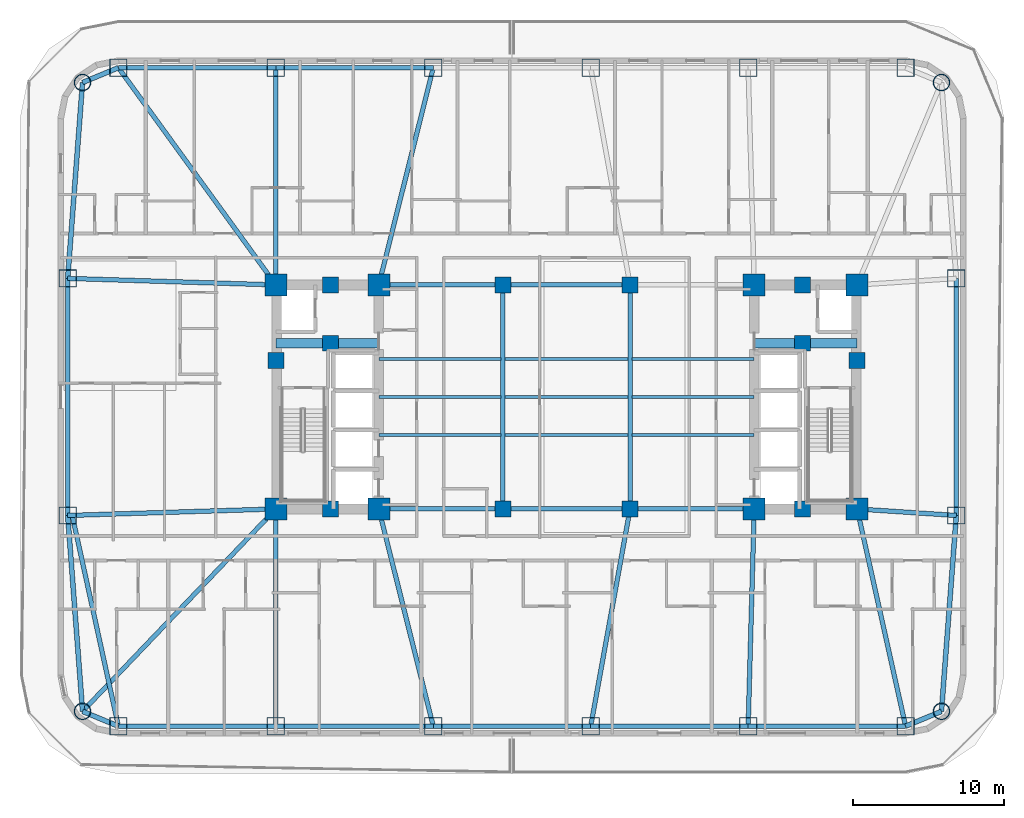
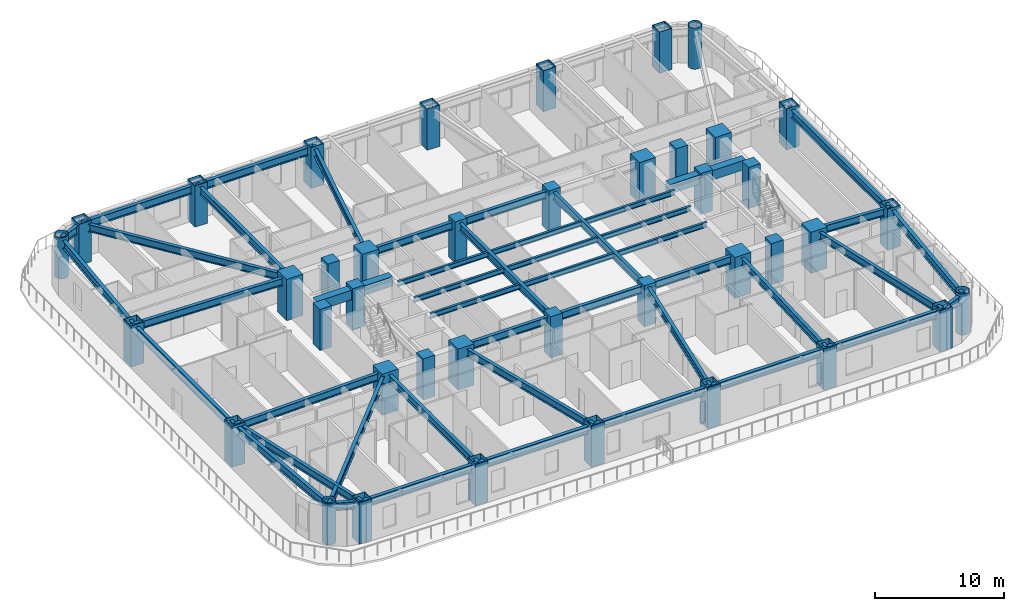
# One storey, part 1 of 14: 46 beams, 40 columns.
"""IFC4 building model written with IfcOpenShell, lengths in metres."""

from ifc_helpers import new_model, si_unit, direction, frame, origin, origin_2d, place, context, subcontext, project, spatial, rectangle, hollow_rectangle, hollow_circle, i_section, extrude, material, material_profile, profile_set, type_object, element, save


model = new_model("IFC4")

# Units and contexts
model_context = context("Model", 3, precision=1e-05, world=origin(), true_north=direction((0.0, 1.0)))
body_context = subcontext(model_context, "Body", "Model", "MODEL_VIEW")
ifc_project = project(units=[si_unit("LENGTHUNIT", "METRE"), si_unit("AREAUNIT", "SQUARE_METRE"), si_unit("VOLUMEUNIT", "CUBIC_METRE"), si_unit("PLANEANGLEUNIT", "RADIAN"), si_unit("MASSUNIT", "GRAM", prefix="KILO")], contexts=[model_context])

# Site, building, storey
site_placement = place(None, origin())
site = spatial("IfcSite", under=ifc_project, at=site_placement, CompositionType="ELEMENT")
building_placement = place(site_placement, origin())
building = spatial("IfcBuilding", under=site, at=building_placement, Name="Voryun Gate Residences", CompositionType="ELEMENT")
storey_placement = place(building_placement, frame((0.0, 0.0, 53.300048828125)))
storey = spatial("IfcBuildingStorey", under=building, at=storey_placement, Name="L12", CompositionType="ELEMENT", Elevation=53.300048828125)

# Columns
ifc_material_1 = material(Name="Concrete C50/60", Category="concrete")
ifc_material_profile_1 = material_profile(ifc_material_1, rectangle(XDim=1.050048828125, YDim=1.050048828125, at=origin_2d()), Name="RC-1050x1050")
ifc_profile_set_1 = profile_set([ifc_material_profile_1], Name="Concrete C50/60")
column_type_1 = type_object("IfcColumnType", Name="COL_CORE_1050", PredefinedType="COLUMN", material=ifc_profile_set_1)
for number, where, z_axis, x_axis, name in (
    (1, (-19.199951171875, 2.39990234375, 0.0), (0.0, 0.0, 1.0), (1.0, 0.0, 0.0), "L12 Core boundary column WC-MW"),
    (2, (-15.60009765625, -7.39990234375, 0.0), (0.0, 0.0, 1.0), (1.0, 0.0, 0.0), "L12 Core boundary column WC-SM"),
    (3, (-15.60009765625, 7.39990234375, 0.0), (0.0, 0.0, 1.0), (1.0, 0.0, 0.0), "L12 Core boundary column WC-NM"),
    (4, (-15.60009765625, 3.550048828125, 0.0), (0.0, 0.0, 1.0), (1.0, 0.0, 0.0), "L12 Core boundary column WC-MM"),
    (5, (15.60009765625, 3.550048828125, 0.0), (0.0, 0.0, 1.0), (1.0, 0.0, 0.0), "L12 Core boundary column EC-MM"),
    (6, (15.60009765625, -7.39990234375, 0.0), (0.0, 0.0, 1.0), (1.0, 0.0, 0.0), "L12 Core boundary column EC-SM"),
    (7, (15.60009765625, 7.39990234375, 0.0), (0.0, 0.0, 1.0), (1.0, 0.0, 0.0), "L12 Core boundary column EC-NM"),
    (8, (19.199951171875, 2.39990234375, 0.0), (0.0, 0.0, 1.0), (1.0, 0.0, 0.0), "L12 Core boundary column EC-ME"),
    (9, (-4.199951171875, -7.39990234375, 0.0), (0.0, 0.0, 1.0), (1.0, 0.0, 0.0), "L12 Interior spine column SP-WS"),
    (10, (-4.199951171875, 7.39990234375, 0.0), (0.0, 0.0, 1.0), (1.0, 0.0, 0.0), "L12 Interior spine column SP-WN"),
    (11, (4.199951171875, -7.39990234375, 0.0), (0.0, 0.0, 1.0), (1.0, 0.0, 0.0), "L12 Interior spine column SP-ES"),
    (12, (4.199951171875, 7.39990234375, 0.0), (0.0, 0.0, 1.0), (1.0, 0.0, 0.0), "L12 Interior spine column SP-EN"),
):
    element("IfcColumn", number, at=place(storey_placement, frame(where, z_axis=z_axis, x_axis=x_axis)), inside=storey, type_object=column_type_1, Name=name, PredefinedType="COLUMN", context=body_context, shape_type="SweptSolid", body=[
        extrude(rectangle(XDim=1.050048828125, YDim=1.050048828125, at=origin_2d()), origin(), (0.0, 0.0, 1.0), 3.89990234375),
    ])
ifc_material_2 = material(Name="Steel SM420", Category="steel")
ifc_material_profile_2 = material_profile(ifc_material_2, hollow_circle(Radius=0.550048828125, WallThickness=0.035888671875, at=origin_2d()), Name="CHS-1100x36")
ifc_profile_set_2 = profile_set([ifc_material_profile_2], Name="Steel SM420")
column_type_2 = type_object("IfcColumnType", Name="COL_CRN_1100", PredefinedType="COLUMN", material=ifc_profile_set_2)
for number, where, z_axis, x_axis, name in (
    (13, (24.768798828125, -20.768798828125, 0.0), (0.0, 0.0, 1.0), (1.0, 0.0, 0.0), "L12 Exoskeleton column CSE"),
    (14, (24.768798828125, 20.768798828125, 0.0), (0.0, 0.0, 1.0), (1.0, 0.0, 0.0), "L12 Exoskeleton column CNE"),
    (15, (-31.96875, 20.768798828125, 0.0), (0.0, 0.0, 1.0), (1.0, 0.0, 0.0), "L12 Exoskeleton column CNW"),
    (16, (-31.96875, -20.768798828125, 0.0), (0.0, 0.0, 1.0), (1.0, 0.0, 0.0), "L12 Exoskeleton column CSW"),
):
    element("IfcColumn", number, at=place(storey_placement, frame(where, z_axis=z_axis, x_axis=x_axis)), inside=storey, type_object=column_type_2, Name=name, PredefinedType="COLUMN", context=body_context, shape_type="SweptSolid", body=[
        extrude(hollow_circle(Radius=0.550048828125, WallThickness=0.035888671875, at=origin_2d()), origin(), (0.0, 0.0, 1.0), 3.89990234375),
    ])
ifc_material_3 = material(Name="Steel SM420", Category="steel")
ifc_material_profile_3 = material_profile(ifc_material_3, hollow_rectangle(XDim=1.14990234375, YDim=1.14990234375, WallThickness=0.0400390625, at=origin_2d()), Name="BOX-1150x1150x40")
ifc_profile_set_3 = profile_set([ifc_material_profile_3], Name="Steel SM420")
column_type_3 = type_object("IfcColumnType", Name="COL_EXO_B1", PredefinedType="COLUMN", material=ifc_profile_set_3)
for number, where, z_axis, x_axis, name in (
    (17, (-29.60009765625, -21.75, 0.0), (0.0, 0.0, 1.0), (1.0, 0.0, 0.0), "L12 Exoskeleton column S1"),
    (18, (-19.199951171875, -21.75, 0.0), (0.0, 0.0, 1.0), (1.0, 0.0, 0.0), "L12 Exoskeleton column S2"),
    (19, (-8.800048828125, -21.75, 0.0), (0.0, 0.0, 1.0), (1.0, 0.0, 0.0), "L12 Exoskeleton column S3"),
    (20, (1.60009765625, -21.75, 0.0), (0.0, 0.0, 1.0), (1.0, 0.0, 0.0), "L12 Exoskeleton column S4"),
    (21, (12.0, -21.75, 0.0), (0.0, 0.0, 1.0), (1.0, 0.0, 0.0), "L12 Exoskeleton column S5"),
    (22, (22.39990234375, -21.75, 0.0), (0.0, 0.0, 1.0), (1.0, 0.0, 0.0), "L12 Exoskeleton column S6"),
    (23, (25.75, -7.830078125, 0.0), (0.0, 0.0, 1.0), (1.0, 0.0, 0.0), "L12 Exoskeleton column E1"),
    (24, (25.75, 7.830078125, 0.0), (0.0, 0.0, 1.0), (1.0, 0.0, 0.0), "L12 Exoskeleton column E2"),
    (25, (22.39990234375, 21.75, 0.0), (0.0, 0.0, 1.0), (1.0, 0.0, 0.0), "L12 Exoskeleton column N1"),
    (26, (12.0, 21.75, 0.0), (0.0, 0.0, 1.0), (1.0, 0.0, 0.0), "L12 Exoskeleton column N2"),
    (27, (1.60009765625, 21.75, 0.0), (0.0, 0.0, 1.0), (1.0, 0.0, 0.0), "L12 Exoskeleton column N3"),
    (28, (-8.800048828125, 21.75, 0.0), (0.0, 0.0, 1.0), (1.0, 0.0, 0.0), "L12 Exoskeleton column N4"),
    (29, (-19.199951171875, 21.75, 0.0), (0.0, 0.0, 1.0), (1.0, 0.0, 0.0), "L12 Exoskeleton column N5"),
    (30, (-29.60009765625, 21.75, 0.0), (0.0, 0.0, 1.0), (1.0, 0.0, 0.0), "L12 Exoskeleton column N6"),
    (31, (-32.949951171875, 7.830078125, 0.0), (0.0, 0.0, 1.0), (1.0, 0.0, 0.0), "L12 Exoskeleton column W1"),
    (32, (-32.949951171875, -7.830078125, 0.0), (0.0, 0.0, 1.0), (1.0, 0.0, 0.0), "L12 Exoskeleton column W2"),
):
    element("IfcColumn", number, at=place(storey_placement, frame(where, z_axis=z_axis, x_axis=x_axis)), inside=storey, type_object=column_type_3, Name=name, PredefinedType="COLUMN", context=body_context, shape_type="SweptSolid", body=[
        extrude(hollow_rectangle(XDim=1.14990234375, YDim=1.14990234375, WallThickness=0.0400390625, at=origin_2d()), origin(), (0.0, 0.0, 1.0), 3.89990234375),
    ])
ifc_material_4 = material(Name="Concrete C60/75", Category="concrete")
ifc_material_profile_4 = material_profile(ifc_material_4, rectangle(XDim=1.449951171875, YDim=1.449951171875, at=origin_2d()), Name="RC-1450x1450")
ifc_profile_set_4 = profile_set([ifc_material_profile_4], Name="Concrete C60/75")
column_type_4 = type_object("IfcColumnType", Name="COL_MEGA_1450", PredefinedType="COLUMN", material=ifc_profile_set_4)
for number, where, z_axis, x_axis, name in (
    (33, (-19.199951171875, -7.39990234375, 0.0), (0.0, 0.0, 1.0), (1.0, 0.0, 0.0), "L12 Core boundary column WC-SW"),
    (34, (-19.199951171875, 7.39990234375, 0.0), (0.0, 0.0, 1.0), (1.0, 0.0, 0.0), "L12 Core boundary column WC-NW"),
    (35, (-12.39990234375, -7.39990234375, 0.0), (0.0, 0.0, 1.0), (1.0, 0.0, 0.0), "L12 Core boundary column WC-SE"),
    (36, (-12.39990234375, 7.39990234375, 0.0), (0.0, 0.0, 1.0), (1.0, 0.0, 0.0), "L12 Core boundary column WC-NE"),
    (37, (12.39990234375, -7.39990234375, 0.0), (0.0, 0.0, 1.0), (1.0, 0.0, 0.0), "L12 Core boundary column EC-SW"),
    (38, (12.39990234375, 7.39990234375, 0.0), (0.0, 0.0, 1.0), (1.0, 0.0, 0.0), "L12 Core boundary column EC-NW"),
    (39, (19.199951171875, -7.39990234375, 0.0), (0.0, 0.0, 1.0), (1.0, 0.0, 0.0), "L12 Core boundary column EC-SE"),
    (40, (19.199951171875, 7.39990234375, 0.0), (0.0, 0.0, 1.0), (1.0, 0.0, 0.0), "L12 Core boundary column EC-NE"),
):
    element("IfcColumn", number, at=place(storey_placement, frame(where, z_axis=z_axis, x_axis=x_axis)), inside=storey, type_object=column_type_4, Name=name, PredefinedType="COLUMN", context=body_context, shape_type="SweptSolid", body=[
        extrude(rectangle(XDim=1.449951171875, YDim=1.449951171875, at=origin_2d()), origin(), (0.0, 0.0, 1.0), 3.89990234375),
    ])

# Beams
ifc_material_5 = material(Name="Concrete C60/75", Category="concrete")
ifc_material_profile_5 = material_profile(ifc_material_5, rectangle(XDim=0.64990234375, YDim=0.89990234375, at=origin_2d()), Name="RC-650x900")
ifc_profile_set_5 = profile_set([ifc_material_profile_5], Name="Concrete C60/75")
beam_type_1 = type_object("IfcBeamType", Name="BM_COUP_RC900", PredefinedType="LINTEL", material=ifc_profile_set_5)
for number, where, z_axis, x_axis, name in (
    (41, (-19.199951171875, 3.550048828125, 3.199951171875), (1.0, 0.0, 0.0), (0.0, 1.0, 0.0), "BM-L12-WC1"),
    (42, (12.39990234375, 3.550048828125, 3.199951171875), (1.0, 0.0, 0.0), (0.0, 1.0, 0.0), "BM-L12-EC1"),
):
    element("IfcBeam", number, at=place(storey_placement, frame(where, z_axis=z_axis, x_axis=x_axis)), inside=storey, type_object=beam_type_1, Name=name, PredefinedType="LINTEL", context=body_context, shape_type="SweptSolid", body=[
        extrude(rectangle(XDim=0.64990234375, YDim=0.89990234375, at=origin_2d()), origin(), (0.0, 0.0, 1.0), 6.800048828125),
    ])
ifc_material_6 = material(Name="Steel SM355", Category="steel")
ifc_material_profile_6 = material_profile(ifc_material_6, i_section(OverallWidth=0.320068359375, OverallDepth=0.75, WebThickness=0.01611328125, FlangeThickness=0.028076171875, FilletRadius=0.01806640625, at=origin_2d()), Name="H-750x320x16x28")
ifc_profile_set_6 = profile_set([ifc_material_profile_6], Name="Steel SM355")
beam_type_2 = type_object("IfcBeamType", Name="BM_EXO_SPANDREL_L", PredefinedType="SPANDREL", material=ifc_profile_set_6)
beam_1_placement = place(storey_placement, frame((-29.60009765625, -21.75, 3.27490234375), z_axis=(1.0, 0.0, 0.0), x_axis=(0.0, 1.0, 0.0)))
element("IfcBeam", 43, at=beam_1_placement, inside=storey, type_object=beam_type_2, Name="BM-L12-SPAND-01", PredefinedType="SPANDREL", context=body_context, shape_type="SweptSolid", body=[
    extrude(i_section(OverallWidth=0.320068359375, OverallDepth=0.75, WebThickness=0.01611328125, FlangeThickness=0.028076171875, FilletRadius=0.01806640625, at=origin_2d()), origin(), (0.0, 0.0, 1.0), 10.400146484375),
])
beam_2_placement = place(storey_placement, frame((-19.199951171875, -21.75, 3.27490234375), z_axis=(1.0, 0.0, 0.0), x_axis=(0.0, 1.0, 0.0)))
element("IfcBeam", 44, at=beam_2_placement, inside=storey, type_object=beam_type_2, Name="BM-L12-SPAND-02", PredefinedType="SPANDREL", context=body_context, shape_type="SweptSolid", body=[
    extrude(i_section(OverallWidth=0.320068359375, OverallDepth=0.75, WebThickness=0.01611328125, FlangeThickness=0.028076171875, FilletRadius=0.01806640625, at=origin_2d()), origin(), (0.0, 0.0, 1.0), 10.39990234375),
])
beam_3_placement = place(storey_placement, frame((-8.800048828125, -21.75, 3.27490234375), z_axis=(1.0, 0.0, 0.0), x_axis=(0.0, 1.0, 0.0)))
element("IfcBeam", 45, at=beam_3_placement, inside=storey, type_object=beam_type_2, Name="BM-L12-SPAND-03", PredefinedType="SPANDREL", context=body_context, shape_type="SweptSolid", body=[
    extrude(i_section(OverallWidth=0.320068359375, OverallDepth=0.75, WebThickness=0.01611328125, FlangeThickness=0.028076171875, FilletRadius=0.01806640625, at=origin_2d()), origin(), (0.0, 0.0, 1.0), 10.400146484375),
])
for number, where, z_axis, x_axis, name in (
    (46, (1.60009765625, -21.75, 3.27490234375), (1.0, 0.0, 0.0), (0.0, 1.0, 0.0), "BM-L12-SPAND-04"),
    (47, (12.0, -21.75, 3.27490234375), (1.0, 0.0, 0.0), (0.0, 1.0, 0.0), "BM-L12-SPAND-05"),
):
    element("IfcBeam", number, at=place(storey_placement, frame(where, z_axis=z_axis, x_axis=x_axis)), inside=storey, type_object=beam_type_2, Name=name, PredefinedType="SPANDREL", context=body_context, shape_type="SweptSolid", body=[
        extrude(i_section(OverallWidth=0.320068359375, OverallDepth=0.75, WebThickness=0.01611328125, FlangeThickness=0.028076171875, FilletRadius=0.01806640625, at=origin_2d()), origin(), (0.0, 0.0, 1.0), 10.39990234375),
    ])
beam_4_placement = place(storey_placement, frame((22.39990234375, -21.75, 3.27490234375), z_axis=(0.923883376753, 0.382674151414, 0.0), x_axis=(-0.382674151414, 0.923883376753, 0.0)))
element("IfcBeam", 48, at=beam_4_placement, inside=storey, type_object=beam_type_2, Name="BM-L12-SPAND-06", PredefinedType="SPANDREL", context=body_context, shape_type="SweptSolid", body=[
    extrude(i_section(OverallWidth=0.320068359375, OverallDepth=0.75, WebThickness=0.01611328125, FlangeThickness=0.028076171875, FilletRadius=0.01806640625, at=origin_2d()), origin(), (0.0, 0.0, 1.0), 2.56396484375),
])
beam_5_placement = place(storey_placement, frame((24.768798828125, -20.768798828125, 3.27490234375), z_axis=(0.075617360159, 0.997136908776, 0.0), x_axis=(-0.997136908776, 0.075617360159, 0.0)))
element("IfcBeam", 49, at=beam_5_placement, inside=storey, type_object=beam_type_2, Name="BM-L12-SPAND-07", PredefinedType="SPANDREL", context=body_context, shape_type="SweptSolid", body=[
    extrude(i_section(OverallWidth=0.320068359375, OverallDepth=0.75, WebThickness=0.01611328125, FlangeThickness=0.028076171875, FilletRadius=0.01806640625, at=origin_2d()), origin(), (0.0, 0.0, 1.0), 12.975830078125),
])
beam_6_placement = place(storey_placement, frame((25.75, -7.830078125, 3.27490234375), z_axis=(0.0, 1.0, 0.0), x_axis=(-1.0, 0.0, 0.0)))
element("IfcBeam", 50, at=beam_6_placement, inside=storey, type_object=beam_type_2, Name="BM-L12-SPAND-08", PredefinedType="SPANDREL", context=body_context, shape_type="SweptSolid", body=[
    extrude(i_section(OverallWidth=0.320068359375, OverallDepth=0.75, WebThickness=0.01611328125, FlangeThickness=0.028076171875, FilletRadius=0.01806640625, at=origin_2d()), origin(), (0.0, 0.0, 1.0), 15.66015625),
])
beam_7_placement = place(storey_placement, frame((-8.800048828125, 21.75, 3.27490234375), z_axis=(-1.0, 0.0, 0.0), x_axis=(0.0, -1.0, 0.0)))
element("IfcBeam", 51, at=beam_7_placement, inside=storey, type_object=beam_type_2, Name="BM-L12-SPAND-14", PredefinedType="SPANDREL", context=body_context, shape_type="SweptSolid", body=[
    extrude(i_section(OverallWidth=0.320068359375, OverallDepth=0.75, WebThickness=0.01611328125, FlangeThickness=0.028076171875, FilletRadius=0.01806640625, at=origin_2d()), origin(), (0.0, 0.0, 1.0), 10.39990234375),
])
beam_8_placement = place(storey_placement, frame((-19.199951171875, 21.75, 3.27490234375), z_axis=(-1.0, 0.0, 0.0), x_axis=(0.0, -1.0, 0.0)))
element("IfcBeam", 52, at=beam_8_placement, inside=storey, type_object=beam_type_2, Name="BM-L12-SPAND-15", PredefinedType="SPANDREL", context=body_context, shape_type="SweptSolid", body=[
    extrude(i_section(OverallWidth=0.320068359375, OverallDepth=0.75, WebThickness=0.01611328125, FlangeThickness=0.028076171875, FilletRadius=0.01806640625, at=origin_2d()), origin(), (0.0, 0.0, 1.0), 10.400146484375),
])
beam_9_placement = place(storey_placement, frame((-29.60009765625, 21.75, 3.27490234375), z_axis=(-0.92386943149, -0.382707817477, 0.0), x_axis=(0.382707817477, -0.92386943149, 0.0)))
element("IfcBeam", 53, at=beam_9_placement, inside=storey, type_object=beam_type_2, Name="BM-L12-SPAND-16", PredefinedType="SPANDREL", context=body_context, shape_type="SweptSolid", body=[
    extrude(i_section(OverallWidth=0.320068359375, OverallDepth=0.75, WebThickness=0.01611328125, FlangeThickness=0.028076171875, FilletRadius=0.01806640625, at=origin_2d()), origin(), (0.0, 0.0, 1.0), 2.563720703125),
])
beam_10_placement = place(storey_placement, frame((-31.96875, 20.768798828125, 3.27490234375), z_axis=(-0.075617360159, -0.997136908776, 0.0), x_axis=(0.997136908776, -0.075617360159, 0.0)))
element("IfcBeam", 54, at=beam_10_placement, inside=storey, type_object=beam_type_2, Name="BM-L12-SPAND-17", PredefinedType="SPANDREL", context=body_context, shape_type="SweptSolid", body=[
    extrude(i_section(OverallWidth=0.320068359375, OverallDepth=0.75, WebThickness=0.01611328125, FlangeThickness=0.028076171875, FilletRadius=0.01806640625, at=origin_2d()), origin(), (0.0, 0.0, 1.0), 12.975830078125),
])
beam_11_placement = place(storey_placement, frame((-32.949951171875, 7.830078125, 3.27490234375), z_axis=(0.0, -1.0, 0.0), x_axis=(1.0, 0.0, 0.0)))
element("IfcBeam", 55, at=beam_11_placement, inside=storey, type_object=beam_type_2, Name="BM-L12-SPAND-18", PredefinedType="SPANDREL", context=body_context, shape_type="SweptSolid", body=[
    extrude(i_section(OverallWidth=0.320068359375, OverallDepth=0.75, WebThickness=0.01611328125, FlangeThickness=0.028076171875, FilletRadius=0.01806640625, at=origin_2d()), origin(), (0.0, 0.0, 1.0), 15.66015625),
])
beam_12_placement = place(storey_placement, frame((-32.949951171875, -7.830078125, 3.27490234375), z_axis=(0.075617360159, -0.997136908776, 0.0), x_axis=(0.997136908776, 0.075617360159, 0.0)))
element("IfcBeam", 56, at=beam_12_placement, inside=storey, type_object=beam_type_2, Name="BM-L12-SPAND-19", PredefinedType="SPANDREL", context=body_context, shape_type="SweptSolid", body=[
    extrude(i_section(OverallWidth=0.320068359375, OverallDepth=0.75, WebThickness=0.01611328125, FlangeThickness=0.028076171875, FilletRadius=0.01806640625, at=origin_2d()), origin(), (0.0, 0.0, 1.0), 12.975830078125),
])
beam_13_placement = place(storey_placement, frame((-31.96875, -20.768798828125, 3.27490234375), z_axis=(0.92386943149, -0.382707817477, 0.0), x_axis=(0.382707817477, 0.92386943149, 0.0)))
element("IfcBeam", 57, at=beam_13_placement, inside=storey, type_object=beam_type_2, Name="BM-L12-SPAND-20", PredefinedType="SPANDREL", context=body_context, shape_type="SweptSolid", body=[
    extrude(i_section(OverallWidth=0.320068359375, OverallDepth=0.75, WebThickness=0.01611328125, FlangeThickness=0.028076171875, FilletRadius=0.01806640625, at=origin_2d()), origin(), (0.0, 0.0, 1.0), 2.563720703125),
])
ifc_material_7 = material(Name="Steel SM355", Category="steel")
ifc_material_profile_7 = material_profile(ifc_material_7, i_section(OverallWidth=0.300048828125, OverallDepth=0.699951171875, WebThickness=0.012939453125, FlangeThickness=0.02392578125, FilletRadius=0.01806640625, at=origin_2d()), Name="H-700x300x13x24")
ifc_profile_set_7 = profile_set([ifc_material_profile_7], Name="Steel SM355")
beam_type_3 = type_object("IfcBeamType", Name="BM_GIRD_700", PredefinedType="USERDEFINED", material=ifc_profile_set_7)
beam_14_placement = place(storey_placement, frame((-12.39990234375, -7.39990234375, 3.300048828125), z_axis=(1.0, 0.0, 0.0), x_axis=(0.0, 1.0, 0.0)))
element("IfcBeam", 58, at=beam_14_placement, inside=storey, type_object=beam_type_3, Name="BM-L12-SPG1-S", ObjectType="GIRDER", PredefinedType="USERDEFINED", context=body_context, shape_type="SweptSolid", body=[
    extrude(i_section(OverallWidth=0.300048828125, OverallDepth=0.699951171875, WebThickness=0.012939453125, FlangeThickness=0.02392578125, FilletRadius=0.01806640625, at=origin_2d()), origin(), (0.0, 0.0, 1.0), 8.199951171875),
])
beam_15_placement = place(storey_placement, frame((-4.199951171875, -7.39990234375, 3.300048828125), z_axis=(1.0, 0.0, 0.0), x_axis=(0.0, 1.0, 0.0)))
element("IfcBeam", 59, at=beam_15_placement, inside=storey, type_object=beam_type_3, Name="BM-L12-SPG2-S", ObjectType="GIRDER", PredefinedType="USERDEFINED", context=body_context, shape_type="SweptSolid", body=[
    extrude(i_section(OverallWidth=0.300048828125, OverallDepth=0.699951171875, WebThickness=0.012939453125, FlangeThickness=0.02392578125, FilletRadius=0.01806640625, at=origin_2d()), origin(), (0.0, 0.0, 1.0), 8.39990234375),
])
for number, where, z_axis, x_axis, name in (
    (60, (4.199951171875, -7.39990234375, 3.300048828125), (1.0, 0.0, 0.0), (0.0, 1.0, 0.0), "BM-L12-SPG3-S"),
    (61, (-12.39990234375, 7.39990234375, 3.300048828125), (1.0, 0.0, 0.0), (0.0, 1.0, 0.0), "BM-L12-SPG1-N"),
):
    element("IfcBeam", number, at=place(storey_placement, frame(where, z_axis=z_axis, x_axis=x_axis)), inside=storey, type_object=beam_type_3, Name=name, ObjectType="GIRDER", PredefinedType="USERDEFINED", context=body_context, shape_type="SweptSolid", body=[
        extrude(i_section(OverallWidth=0.300048828125, OverallDepth=0.699951171875, WebThickness=0.012939453125, FlangeThickness=0.02392578125, FilletRadius=0.01806640625, at=origin_2d()), origin(), (0.0, 0.0, 1.0), 8.199951171875),
    ])
beam_16_placement = place(storey_placement, frame((-4.199951171875, 7.39990234375, 3.300048828125), z_axis=(1.0, 0.0, 0.0), x_axis=(0.0, 1.0, 0.0)))
element("IfcBeam", 62, at=beam_16_placement, inside=storey, type_object=beam_type_3, Name="BM-L12-SPG2-N", ObjectType="GIRDER", PredefinedType="USERDEFINED", context=body_context, shape_type="SweptSolid", body=[
    extrude(i_section(OverallWidth=0.300048828125, OverallDepth=0.699951171875, WebThickness=0.012939453125, FlangeThickness=0.02392578125, FilletRadius=0.01806640625, at=origin_2d()), origin(), (0.0, 0.0, 1.0), 8.39990234375),
])
for number, where, z_axis, x_axis, name in (
    (63, (-4.199951171875, -7.39990234375, 3.300048828125), (0.0, 1.0, 0.0), (-1.0, 0.0, 0.0), "BM-L12-SPX-W"),
    (64, (4.199951171875, -7.39990234375, 3.300048828125), (0.0, 1.0, 0.0), (-1.0, 0.0, 0.0), "BM-L12-SPX-E"),
):
    element("IfcBeam", number, at=place(storey_placement, frame(where, z_axis=z_axis, x_axis=x_axis)), inside=storey, type_object=beam_type_3, Name=name, ObjectType="GIRDER", PredefinedType="USERDEFINED", context=body_context, shape_type="SweptSolid", body=[
        extrude(i_section(OverallWidth=0.300048828125, OverallDepth=0.699951171875, WebThickness=0.012939453125, FlangeThickness=0.02392578125, FilletRadius=0.01806640625, at=origin_2d()), origin(), (0.0, 0.0, 1.0), 14.7998046875),
    ])
beam_17_placement = place(storey_placement, frame((-32.64990234375, -7.830078125, 3.300048828125), z_axis=(0.214019782918, -0.976829326198, 0.0), x_axis=(0.976829326198, 0.214019782918, 0.0)))
element("IfcBeam", 65, at=beam_17_placement, inside=storey, type_object=beam_type_3, Name="BM-L12-RAD-S1", ObjectType="GIRDER", PredefinedType="USERDEFINED", context=body_context, shape_type="SweptSolid", body=[
    extrude(i_section(OverallWidth=0.300048828125, OverallDepth=0.699951171875, WebThickness=0.012939453125, FlangeThickness=0.02392578125, FilletRadius=0.01806640625, at=origin_2d()), origin(), (0.0, 0.0, 1.0), 14.25),
])
beam_18_placement = place(storey_placement, frame((-19.199951171875, -7.39990234375, 3.300048828125), z_axis=(0.0, -1.0, 0.0), x_axis=(1.0, 0.0, 0.0)))
element("IfcBeam", 66, at=beam_18_placement, inside=storey, type_object=beam_type_3, Name="BM-L12-RAD-S2", ObjectType="GIRDER", PredefinedType="USERDEFINED", context=body_context, shape_type="SweptSolid", body=[
    extrude(i_section(OverallWidth=0.300048828125, OverallDepth=0.699951171875, WebThickness=0.012939453125, FlangeThickness=0.02392578125, FilletRadius=0.01806640625, at=origin_2d()), origin(), (0.0, 0.0, 1.0), 14.35009765625),
])
beam_19_placement = place(storey_placement, frame((-12.39990234375, -7.39990234375, 3.300048828125), z_axis=(0.243319869291, -0.969946102218, 0.0), x_axis=(0.969946102218, 0.243319869291, 0.0)))
element("IfcBeam", 67, at=beam_19_placement, inside=storey, type_object=beam_type_3, Name="BM-L12-RAD-S3", ObjectType="GIRDER", PredefinedType="USERDEFINED", context=body_context, shape_type="SweptSolid", body=[
    extrude(i_section(OverallWidth=0.300048828125, OverallDepth=0.699951171875, WebThickness=0.012939453125, FlangeThickness=0.02392578125, FilletRadius=0.01806640625, at=origin_2d()), origin(), (0.0, 0.0, 1.0), 14.794677734375),
])
beam_20_placement = place(storey_placement, frame((4.199951171875, -7.39990234375, 3.300048828125), z_axis=(-0.178271088758, -0.983981411874, 0.0), x_axis=(0.983981411874, -0.178271088758, 0.0)))
element("IfcBeam", 68, at=beam_20_placement, inside=storey, type_object=beam_type_3, Name="BM-L12-RAD-S4", ObjectType="GIRDER", PredefinedType="USERDEFINED", context=body_context, shape_type="SweptSolid", body=[
    extrude(i_section(OverallWidth=0.300048828125, OverallDepth=0.699951171875, WebThickness=0.012939453125, FlangeThickness=0.02392578125, FilletRadius=0.01806640625, at=origin_2d()), origin(), (0.0, 0.0, 1.0), 14.583740234375),
])
beam_21_placement = place(storey_placement, frame((12.39990234375, -7.39990234375, 3.300048828125), z_axis=(-0.0278567548, -0.999611925305, 0.0), x_axis=(0.999611925305, -0.0278567548, 0.0)))
element("IfcBeam", 69, at=beam_21_placement, inside=storey, type_object=beam_type_3, Name="BM-L12-RAD-S5", ObjectType="GIRDER", PredefinedType="USERDEFINED", context=body_context, shape_type="SweptSolid", body=[
    extrude(i_section(OverallWidth=0.300048828125, OverallDepth=0.699951171875, WebThickness=0.012939453125, FlangeThickness=0.02392578125, FilletRadius=0.01806640625, at=origin_2d()), origin(), (0.0, 0.0, 1.0), 14.355712890625),
])
beam_22_placement = place(storey_placement, frame((19.199951171875, -7.39990234375, 3.300048828125), z_axis=(0.217645991352, -0.976027777498, 0.0), x_axis=(0.976027777498, 0.217645991352, 0.0)))
element("IfcBeam", 70, at=beam_22_placement, inside=storey, type_object=beam_type_3, Name="BM-L12-RAD-S6", ObjectType="GIRDER", PredefinedType="USERDEFINED", context=body_context, shape_type="SweptSolid", body=[
    extrude(i_section(OverallWidth=0.300048828125, OverallDepth=0.699951171875, WebThickness=0.012939453125, FlangeThickness=0.02392578125, FilletRadius=0.01806640625, at=origin_2d()), origin(), (0.0, 0.0, 1.0), 14.70263671875),
])
beam_23_placement = place(storey_placement, frame((19.199951171875, -7.39990234375, 3.300048828125), z_axis=(0.997850335415, -0.06553402255, 0.0), x_axis=(0.06553402255, 0.997850335415, 0.0)))
element("IfcBeam", 71, at=beam_23_placement, inside=storey, type_object=beam_type_3, Name="BM-L12-RAD-E1", ObjectType="GIRDER", PredefinedType="USERDEFINED", context=body_context, shape_type="SweptSolid", body=[
    extrude(i_section(OverallWidth=0.300048828125, OverallDepth=0.699951171875, WebThickness=0.012939453125, FlangeThickness=0.02392578125, FilletRadius=0.01806640625, at=origin_2d()), origin(), (0.0, 0.0, 1.0), 6.564208984375),
])
beam_24_placement = place(storey_placement, frame((-12.39990234375, 7.39990234375, 3.300048828125), z_axis=(0.243319869291, 0.969946102218, 0.0), x_axis=(-0.969946102218, 0.243319869291, 0.0)))
element("IfcBeam", 72, at=beam_24_placement, inside=storey, type_object=beam_type_3, Name="BM-L12-RAD-N4", ObjectType="GIRDER", PredefinedType="USERDEFINED", context=body_context, shape_type="SweptSolid", body=[
    extrude(i_section(OverallWidth=0.300048828125, OverallDepth=0.699951171875, WebThickness=0.012939453125, FlangeThickness=0.02392578125, FilletRadius=0.01806640625, at=origin_2d()), origin(), (0.0, 0.0, 1.0), 14.794677734375),
])
beam_25_placement = place(storey_placement, frame((-19.199951171875, 7.39990234375, 3.300048828125), z_axis=(0.0, 1.0, 0.0), x_axis=(-1.0, 0.0, 0.0)))
element("IfcBeam", 73, at=beam_25_placement, inside=storey, type_object=beam_type_3, Name="BM-L12-RAD-N5", ObjectType="GIRDER", PredefinedType="USERDEFINED", context=body_context, shape_type="SweptSolid", body=[
    extrude(i_section(OverallWidth=0.300048828125, OverallDepth=0.699951171875, WebThickness=0.012939453125, FlangeThickness=0.02392578125, FilletRadius=0.01806640625, at=origin_2d()), origin(), (0.0, 0.0, 1.0), 14.35009765625),
])
beam_26_placement = place(storey_placement, frame((-19.199951171875, 7.39990234375, 3.300048828125), z_axis=(-0.586831668391, 0.80970895572, 0.0), x_axis=(-0.80970895572, -0.586831668391, 0.0)))
element("IfcBeam", 74, at=beam_26_placement, inside=storey, type_object=beam_type_3, Name="BM-L12-RAD-N6", ObjectType="GIRDER", PredefinedType="USERDEFINED", context=body_context, shape_type="SweptSolid", body=[
    extrude(i_section(OverallWidth=0.300048828125, OverallDepth=0.699951171875, WebThickness=0.012939453125, FlangeThickness=0.02392578125, FilletRadius=0.01806640625, at=origin_2d()), origin(), (0.0, 0.0, 1.0), 17.72265625),
])
for number, where, z_axis, x_axis, name in (
    (75, (-19.199951171875, 7.39990234375, 3.300048828125), (-0.999510967353, 0.031270211727, 0.0), (-0.031270211727, -0.999510967353, 0.0), "BM-L12-RAD-W1"),
    (76, (-19.199951171875, -7.39990234375, 3.300048828125), (-0.999510967353, -0.031270211727, 0.0), (0.031270211727, -0.999510967353, 0.0), "BM-L12-RAD-W2"),
):
    element("IfcBeam", number, at=place(storey_placement, frame(where, z_axis=z_axis, x_axis=x_axis)), inside=storey, type_object=beam_type_3, Name=name, ObjectType="GIRDER", PredefinedType="USERDEFINED", context=body_context, shape_type="SweptSolid", body=[
        extrude(i_section(OverallWidth=0.300048828125, OverallDepth=0.699951171875, WebThickness=0.012939453125, FlangeThickness=0.02392578125, FilletRadius=0.01806640625, at=origin_2d()), origin(), (0.0, 0.0, 1.0), 13.7568359375),
    ])
beam_27_placement = place(storey_placement, frame((-19.199951171875, -7.39990234375, 3.300048828125), z_axis=(-0.69069023987, -0.723150739852, 0.0), x_axis=(0.723150739852, -0.69069023987, 0.0)))
element("IfcBeam", 77, at=beam_27_placement, inside=storey, type_object=beam_type_3, Name="BM-L12-RAD-CSW", ObjectType="GIRDER", PredefinedType="USERDEFINED", context=body_context, shape_type="SweptSolid", body=[
    extrude(i_section(OverallWidth=0.300048828125, OverallDepth=0.699951171875, WebThickness=0.012939453125, FlangeThickness=0.02392578125, FilletRadius=0.01806640625, at=origin_2d()), origin(), (0.0, 0.0, 1.0), 18.487060546875),
])
ifc_material_8 = material(Name="Steel SM355", Category="steel")
ifc_material_profile_8 = material_profile(ifc_material_8, i_section(OverallWidth=0.199951171875, OverallDepth=0.47998046875, WebThickness=0.010009765625, FlangeThickness=0.01806640625, FilletRadius=0.01806640625, at=origin_2d()), Name="H-480x200x10x18")
ifc_profile_set_8 = profile_set([ifc_material_profile_8], Name="Steel SM355")
beam_type_4 = type_object("IfcBeamType", Name="BM_SEC_480", PredefinedType="BEAM", material=ifc_profile_set_8)
beam_28_placement = place(storey_placement, frame((-12.39990234375, -2.5, 3.409912109375), z_axis=(1.0, 0.0, 0.0), x_axis=(0.0, 1.0, 0.0)))
element("IfcBeam", 78, at=beam_28_placement, inside=storey, type_object=beam_type_4, Name="BM-L12-SEC-CS1", PredefinedType="BEAM", context=body_context, shape_type="SweptSolid", body=[
    extrude(i_section(OverallWidth=0.199951171875, OverallDepth=0.47998046875, WebThickness=0.010009765625, FlangeThickness=0.01806640625, FilletRadius=0.01806640625, at=origin_2d()), origin(), (0.0, 0.0, 1.0), 8.074951171875),
])
beam_29_placement = place(storey_placement, frame((-4.074951171875, -2.5, 3.409912109375), z_axis=(1.0, 0.0, 0.0), x_axis=(0.0, 1.0, 0.0)))
element("IfcBeam", 79, at=beam_29_placement, inside=storey, type_object=beam_type_4, Name="BM-L12-SEC-CS2", PredefinedType="BEAM", context=body_context, shape_type="SweptSolid", body=[
    extrude(i_section(OverallWidth=0.199951171875, OverallDepth=0.47998046875, WebThickness=0.010009765625, FlangeThickness=0.01806640625, FilletRadius=0.01806640625, at=origin_2d()), origin(), (0.0, 0.0, 1.0), 8.14990234375),
])
for number, where, z_axis, x_axis, name in (
    (80, (4.324951171875, -2.5, 3.409912109375), (1.0, 0.0, 0.0), (0.0, 1.0, 0.0), "BM-L12-SEC-CS3"),
    (81, (-12.39990234375, 0.0, 3.409912109375), (1.0, 0.0, 0.0), (0.0, 1.0, 0.0), "BM-L12-SEC-CM1"),
):
    element("IfcBeam", number, at=place(storey_placement, frame(where, z_axis=z_axis, x_axis=x_axis)), inside=storey, type_object=beam_type_4, Name=name, PredefinedType="BEAM", context=body_context, shape_type="SweptSolid", body=[
        extrude(i_section(OverallWidth=0.199951171875, OverallDepth=0.47998046875, WebThickness=0.010009765625, FlangeThickness=0.01806640625, FilletRadius=0.01806640625, at=origin_2d()), origin(), (0.0, 0.0, 1.0), 8.074951171875),
    ])
beam_30_placement = place(storey_placement, frame((-4.074951171875, 0.0, 3.409912109375), z_axis=(1.0, 0.0, 0.0), x_axis=(0.0, 1.0, 0.0)))
element("IfcBeam", 82, at=beam_30_placement, inside=storey, type_object=beam_type_4, Name="BM-L12-SEC-CM2", PredefinedType="BEAM", context=body_context, shape_type="SweptSolid", body=[
    extrude(i_section(OverallWidth=0.199951171875, OverallDepth=0.47998046875, WebThickness=0.010009765625, FlangeThickness=0.01806640625, FilletRadius=0.01806640625, at=origin_2d()), origin(), (0.0, 0.0, 1.0), 8.14990234375),
])
for number, where, z_axis, x_axis, name in (
    (83, (4.324951171875, 0.0, 3.409912109375), (1.0, 0.0, 0.0), (0.0, 1.0, 0.0), "BM-L12-SEC-CM3"),
    (84, (-12.39990234375, 2.5, 3.409912109375), (1.0, 0.0, 0.0), (0.0, 1.0, 0.0), "BM-L12-SEC-CN1"),
):
    element("IfcBeam", number, at=place(storey_placement, frame(where, z_axis=z_axis, x_axis=x_axis)), inside=storey, type_object=beam_type_4, Name=name, PredefinedType="BEAM", context=body_context, shape_type="SweptSolid", body=[
        extrude(i_section(OverallWidth=0.199951171875, OverallDepth=0.47998046875, WebThickness=0.010009765625, FlangeThickness=0.01806640625, FilletRadius=0.01806640625, at=origin_2d()), origin(), (0.0, 0.0, 1.0), 8.074951171875),
    ])
beam_31_placement = place(storey_placement, frame((-4.074951171875, 2.5, 3.409912109375), z_axis=(1.0, 0.0, 0.0), x_axis=(0.0, 1.0, 0.0)))
element("IfcBeam", 85, at=beam_31_placement, inside=storey, type_object=beam_type_4, Name="BM-L12-SEC-CN2", PredefinedType="BEAM", context=body_context, shape_type="SweptSolid", body=[
    extrude(i_section(OverallWidth=0.199951171875, OverallDepth=0.47998046875, WebThickness=0.010009765625, FlangeThickness=0.01806640625, FilletRadius=0.01806640625, at=origin_2d()), origin(), (0.0, 0.0, 1.0), 8.14990234375),
])
beam_32_placement = place(storey_placement, frame((4.324951171875, 2.5, 3.409912109375), z_axis=(1.0, 0.0, 0.0), x_axis=(0.0, 1.0, 0.0)))
element("IfcBeam", 86, at=beam_32_placement, inside=storey, type_object=beam_type_4, Name="BM-L12-SEC-CN3", PredefinedType="BEAM", context=body_context, shape_type="SweptSolid", body=[
    extrude(i_section(OverallWidth=0.199951171875, OverallDepth=0.47998046875, WebThickness=0.010009765625, FlangeThickness=0.01806640625, FilletRadius=0.01806640625, at=origin_2d()), origin(), (0.0, 0.0, 1.0), 8.074951171875),
])

save(model, "model.ifc")
